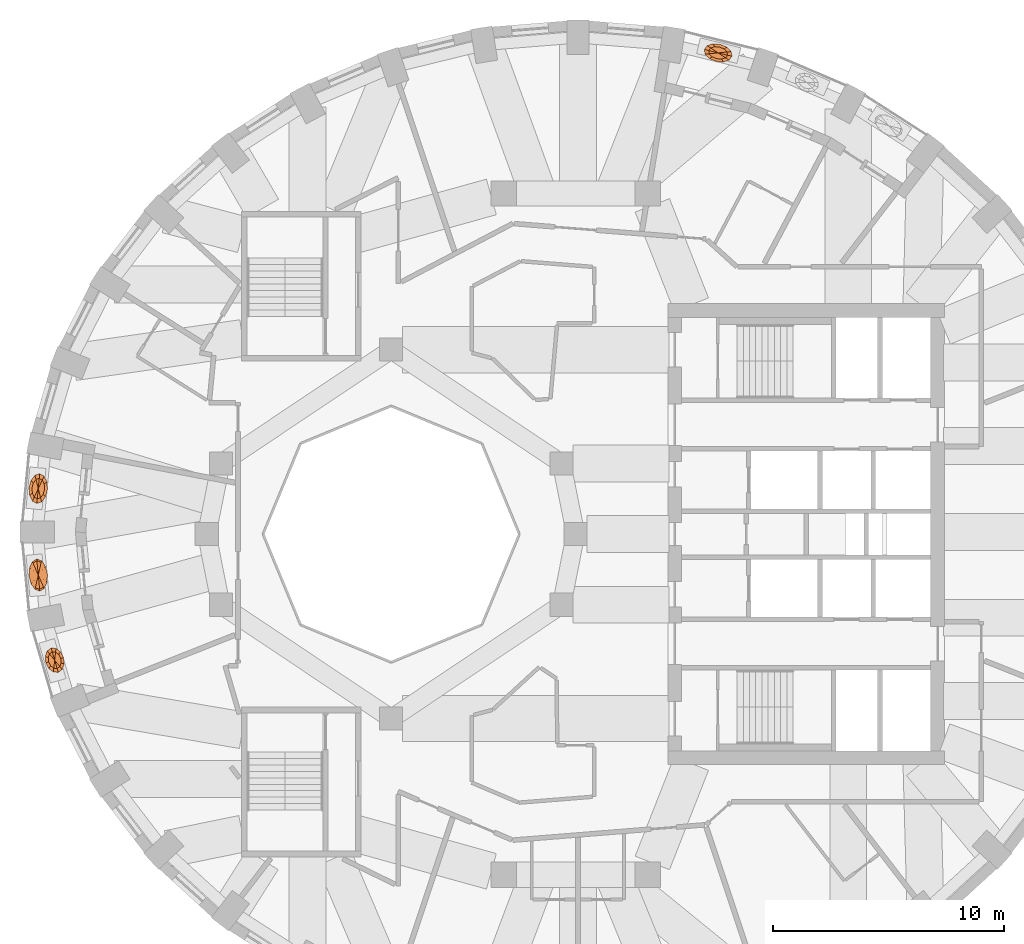
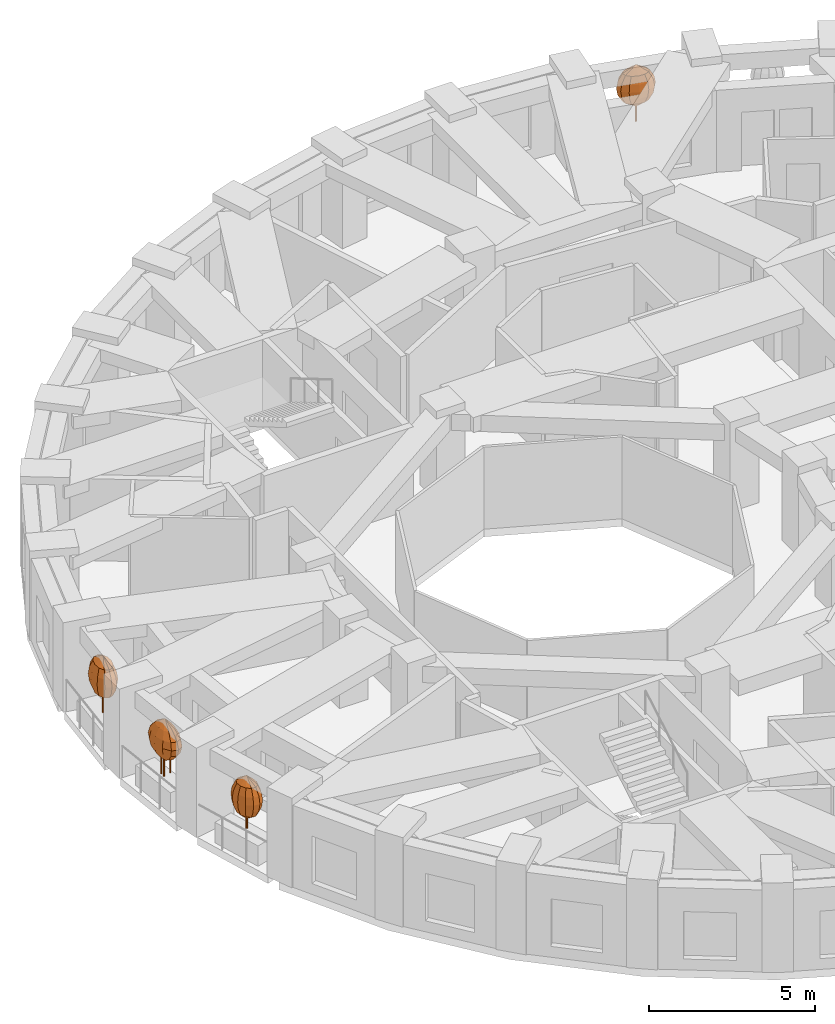
# One storey, part 11 of 12: 4 geographic elements.
"""IFC4 building model written with IfcOpenShell, lengths in metres."""

from ifc_helpers import new_model, si_unit, direction, frame, origin, place, context, subcontext, project, spatial, faceted_brep, material, constituent, constituent_set, type_object, element, save


model = new_model("IFC4")

# Units and contexts
model_context = context("Model", 3, precision=1e-05, world=origin(), true_north=direction((0.0, 1.0)))
body_context = subcontext(model_context, "Body", "Model", "MODEL_VIEW")
ifc_project = project(units=[si_unit("LENGTHUNIT", "METRE"), si_unit("AREAUNIT", "SQUARE_METRE"), si_unit("VOLUMEUNIT", "CUBIC_METRE"), si_unit("PLANEANGLEUNIT", "RADIAN"), si_unit("MASSUNIT", "GRAM", prefix="KILO")], contexts=[model_context])

# Site, building, storey
site_placement = place(None, origin())
site = spatial("IfcSite", under=ifc_project, at=site_placement, CompositionType="ELEMENT")
building_placement = place(site_placement, origin())
building = spatial("IfcBuilding", under=site, at=building_placement, Name="Taillehof Tower", CompositionType="ELEMENT")
storey_placement = place(building_placement, frame((0.0, 0.0, 151.699951171875)))
storey = spatial("IfcBuildingStorey", under=building, at=storey_placement, Name="L42", CompositionType="ELEMENT", Elevation=151.699951171875)

# Geographic elements
ifc_material_1 = material(Name="Tree bark", Category="timber")
ifc_constituent_1 = constituent(ifc_material_1, Name="Trunk", Category="timber")
ifc_material_2 = material(Name="Tree foliage")
ifc_constituent_2 = constituent(ifc_material_2, Name="Crown")
ifc_constituent_set_1 = constituent_set(constituents=[ifc_constituent_1, ifc_constituent_2], Name="Tree TR1 Columnar hornbeam")
geographic_element_type_1 = type_object("IfcGeographicElementType", Name="Tree TR1 Columnar hornbeam", PredefinedType="USERDEFINED", material=ifc_constituent_set_1)
geographic_element_1_placement = place(storey_placement, frame((-23.307861328125, 1.97509765625, 0.75)))
element("IfcGeographicElement", 1, at=geographic_element_1_placement, inside=storey, type_object=geographic_element_type_1, Name="Tree TR1 Columnar hornbeam", ObjectType="TREE", PredefinedType="USERDEFINED", context=body_context, shape_type="Brep", body=[
    faceted_brep([(0.030029296875, 0.0, 0.0), (0.021240234375, 0.021240234375, 0.0), (0.021240234375, 0.021240234375, 1.092529296875), (0.030029296875, 0.0, 1.092529296875), (0.0, 0.030029296875, 0.0), (0.0, 0.030029296875, 1.092529296875), (-0.021240234375, 0.021240234375, 0.0), (-0.021240234375, 0.021240234375, 1.092529296875), (-0.030029296875, 0.0, 0.0), (-0.030029296875, 0.0, 1.092529296875), (-0.021240234375, -0.021240234375, 0.0), (-0.021240234375, -0.021240234375, 1.092529296875), (0.0, -0.030029296875, 0.0), (0.0, -0.030029296875, 1.092529296875), (0.021240234375, -0.021240234375, 0.0), (0.021240234375, -0.021240234375, 1.092529296875)], [[[0, 1, 2, 3]], [[1, 4, 5, 2]], [[4, 6, 7, 5]], [[6, 8, 9, 7]], [[8, 10, 11, 9]], [[10, 12, 13, 11]], [[12, 14, 15, 13]], [[14, 0, 3, 15]], [[14, 12, 10, 8, 6, 4, 1, 0]], [[3, 2, 5, 7, 9, 11, 13, 15]]]),
    faceted_brep([(0.0, 0.0, 0.550048828125), (0.099365234375, -0.395751953125, 0.808349609375), (-0.042236328125, -0.44189453125, 0.808349609375), (0.21435546875, -0.243408203125, 0.808349609375), (0.27197265625, -0.026123046875, 0.808349609375), (0.256591796875, 0.198486328125, 0.808349609375), (0.172607421875, 0.36962890625, 0.808349609375), (0.042236328125, 0.44189453125, 0.808349609375), (-0.099365234375, 0.395751953125, 0.808349609375), (-0.21435546875, 0.243408203125, 0.808349609375), (-0.27197265625, 0.026123046875, 0.808349609375), (-0.256591796875, -0.198486328125, 0.808349609375), (-0.172607421875, -0.36962890625, 0.808349609375), (0.134521484375, -0.535400390625, 1.066650390625), (-0.05712890625, -0.597900390625, 1.066650390625), (0.2900390625, -0.329345703125, 1.066650390625), (0.367919921875, -0.03515625, 1.066650390625), (0.34716796875, 0.2685546875, 1.066650390625), (0.2333984375, 0.500244140625, 1.066650390625), (0.05712890625, 0.597900390625, 1.066650390625), (-0.134521484375, 0.535400390625, 1.066650390625), (-0.2900390625, 0.329345703125, 1.066650390625), (-0.367919921875, 0.03515625, 1.066650390625), (-0.34716796875, -0.2685546875, 1.066650390625), (-0.2333984375, -0.500244140625, 1.066650390625), (0.1455078125, -0.579345703125, 1.324951171875), (-0.061767578125, -0.64697265625, 1.324951171875), (0.31396484375, -0.3564453125, 1.324951171875), (0.398193359375, -0.0380859375, 1.324951171875), (0.375732421875, 0.29052734375, 1.324951171875), (0.252685546875, 0.541259765625, 1.324951171875), (0.061767578125, 0.64697265625, 1.324951171875), (-0.1455078125, 0.579345703125, 1.324951171875), (-0.31396484375, 0.3564453125, 1.324951171875), (-0.398193359375, 0.0380859375, 1.324951171875), (-0.375732421875, -0.29052734375, 1.324951171875), (-0.252685546875, -0.541259765625, 1.324951171875), (0.134521484375, -0.535400390625, 1.583251953125), (-0.05712890625, -0.597900390625, 1.583251953125), (0.2900390625, -0.329345703125, 1.583251953125), (0.367919921875, -0.03515625, 1.583251953125), (0.34716796875, 0.2685546875, 1.583251953125), (0.2333984375, 0.500244140625, 1.583251953125), (0.05712890625, 0.597900390625, 1.583251953125), (-0.134521484375, 0.535400390625, 1.583251953125), (-0.2900390625, 0.329345703125, 1.583251953125), (-0.367919921875, 0.03515625, 1.583251953125), (-0.34716796875, -0.2685546875, 1.583251953125), (-0.2333984375, -0.500244140625, 1.583251953125), (0.099365234375, -0.395751953125, 1.841552734375), (-0.042236328125, -0.44189453125, 1.841552734375), (0.21435546875, -0.243408203125, 1.841552734375), (0.27197265625, -0.026123046875, 1.841552734375), (0.256591796875, 0.198486328125, 1.841552734375), (0.172607421875, 0.36962890625, 1.841552734375), (0.042236328125, 0.44189453125, 1.841552734375), (-0.099365234375, 0.395751953125, 1.841552734375), (-0.21435546875, 0.243408203125, 1.841552734375), (-0.27197265625, 0.026123046875, 1.841552734375), (-0.256591796875, -0.198486328125, 1.841552734375), (-0.172607421875, -0.36962890625, 1.841552734375), (0.0, 0.0, 2.10009765625)], [[[0, 1, 2]], [[0, 3, 1]], [[0, 4, 3]], [[0, 5, 4]], [[0, 6, 5]], [[0, 7, 6]], [[0, 8, 7]], [[0, 9, 8]], [[0, 10, 9]], [[0, 11, 10]], [[0, 12, 11]], [[0, 2, 12]], [[2, 1, 13, 14]], [[1, 3, 15, 13]], [[3, 4, 16, 15]], [[4, 5, 17, 16]], [[5, 6, 18, 17]], [[6, 7, 19, 18]], [[7, 8, 20, 19]], [[8, 9, 21, 20]], [[9, 10, 22, 21]], [[10, 11, 23, 22]], [[11, 12, 24, 23]], [[12, 2, 14, 24]], [[14, 13, 25, 26]], [[13, 15, 27, 25]], [[15, 16, 28, 27]], [[16, 17, 29, 28]], [[17, 18, 30, 29]], [[18, 19, 31, 30]], [[19, 20, 32, 31]], [[20, 21, 33, 32]], [[21, 22, 34, 33]], [[22, 23, 35, 34]], [[23, 24, 36, 35]], [[24, 14, 26, 36]], [[26, 25, 37, 38]], [[25, 27, 39, 37]], [[27, 28, 40, 39]], [[28, 29, 41, 40]], [[29, 30, 42, 41]], [[30, 31, 43, 42]], [[31, 32, 44, 43]], [[32, 33, 45, 44]], [[33, 34, 46, 45]], [[34, 35, 47, 46]], [[35, 36, 48, 47]], [[36, 26, 38, 48]], [[38, 37, 49, 50]], [[37, 39, 51, 49]], [[39, 40, 52, 51]], [[40, 41, 53, 52]], [[41, 42, 54, 53]], [[42, 43, 55, 54]], [[43, 44, 56, 55]], [[44, 45, 57, 56]], [[45, 46, 58, 57]], [[46, 47, 59, 58]], [[47, 48, 60, 59]], [[48, 38, 50, 60]], [[50, 49, 61]], [[49, 51, 61]], [[51, 52, 61]], [[52, 53, 61]], [[53, 54, 61]], [[54, 55, 61]], [[55, 56, 61]], [[56, 57, 61]], [[57, 58, 61]], [[58, 59, 61]], [[59, 60, 61]], [[60, 50, 61]]]),
])
geographic_element_2_placement = place(storey_placement, frame((6.179443359375, 20.873779296875, 0.75)))
element("IfcGeographicElement", 2, at=geographic_element_2_placement, inside=storey, type_object=geographic_element_type_1, Name="Tree TR1 Columnar hornbeam", ObjectType="TREE", PredefinedType="USERDEFINED", context=body_context, shape_type="Brep", body=[
    faceted_brep([(0.030029296875, 0.0, 0.0), (0.021240234375, 0.021240234375, 0.0), (0.021240234375, 0.021240234375, 1.092529296875), (0.030029296875, 0.0, 1.092529296875), (0.0, 0.030029296875, 0.0), (0.0, 0.030029296875, 1.092529296875), (-0.021240234375, 0.021240234375, 0.0), (-0.021240234375, 0.021240234375, 1.092529296875), (-0.030029296875, 0.0, 0.0), (-0.030029296875, 0.0, 1.092529296875), (-0.021240234375, -0.021240234375, 0.0), (-0.021240234375, -0.021240234375, 1.092529296875), (0.0, -0.030029296875, 0.0), (0.0, -0.030029296875, 1.092529296875), (0.021240234375, -0.021240234375, 0.0), (0.021240234375, -0.021240234375, 1.092529296875)], [[[0, 1, 2, 3]], [[1, 4, 5, 2]], [[4, 6, 7, 5]], [[6, 8, 9, 7]], [[8, 10, 11, 9]], [[10, 12, 13, 11]], [[12, 14, 15, 13]], [[14, 0, 3, 15]], [[14, 12, 10, 8, 6, 4, 1, 0]], [[3, 2, 5, 7, 9, 11, 13, 15]]]),
    faceted_brep([(0.0, 0.0, 0.550048828125), (-0.3857421875, -0.0390625, 0.808349609375), (-0.40966796875, 0.100341796875, 0.808349609375), (-0.25830078125, -0.168212890625, 0.808349609375), (-0.061767578125, -0.252197265625, 0.808349609375), (0.1513671875, -0.2685546875, 0.808349609375), (0.323974609375, -0.212890625, 0.808349609375), (0.40966796875, -0.100341796875, 0.808349609375), (0.3857421875, 0.0390625, 0.808349609375), (0.25830078125, 0.168212890625, 0.808349609375), (0.061767578125, 0.252197265625, 0.808349609375), (-0.1513671875, 0.2685546875, 0.808349609375), (-0.323974609375, 0.212890625, 0.808349609375), (-0.521728515625, -0.052978515625, 1.066650390625), (-0.55419921875, 0.1357421875, 1.066650390625), (-0.349365234375, -0.227294921875, 1.066650390625), (-0.08349609375, -0.341064453125, 1.066650390625), (0.20458984375, -0.36328125, 1.066650390625), (0.43798828125, -0.2880859375, 1.066650390625), (0.55419921875, -0.1357421875, 1.066650390625), (0.521728515625, 0.052978515625, 1.066650390625), (0.349365234375, 0.227294921875, 1.066650390625), (0.08349609375, 0.341064453125, 1.066650390625), (-0.20458984375, 0.36328125, 1.066650390625), (-0.43798828125, 0.2880859375, 1.066650390625), (-0.564697265625, -0.05712890625, 1.324951171875), (-0.599853515625, 0.14697265625, 1.324951171875), (-0.378173828125, -0.24609375, 1.324951171875), (-0.090576171875, -0.369140625, 1.324951171875), (0.221435546875, -0.39306640625, 1.324951171875), (0.47412109375, -0.311767578125, 1.324951171875), (0.599853515625, -0.14697265625, 1.324951171875), (0.564697265625, 0.05712890625, 1.324951171875), (0.378173828125, 0.24609375, 1.324951171875), (0.090576171875, 0.369140625, 1.324951171875), (-0.221435546875, 0.39306640625, 1.324951171875), (-0.47412109375, 0.311767578125, 1.324951171875), (-0.521728515625, -0.052978515625, 1.583251953125), (-0.55419921875, 0.1357421875, 1.583251953125), (-0.349365234375, -0.227294921875, 1.583251953125), (-0.08349609375, -0.341064453125, 1.583251953125), (0.20458984375, -0.36328125, 1.583251953125), (0.43798828125, -0.2880859375, 1.583251953125), (0.55419921875, -0.1357421875, 1.583251953125), (0.521728515625, 0.052978515625, 1.583251953125), (0.349365234375, 0.227294921875, 1.583251953125), (0.08349609375, 0.341064453125, 1.583251953125), (-0.20458984375, 0.36328125, 1.583251953125), (-0.43798828125, 0.2880859375, 1.583251953125), (-0.3857421875, -0.0390625, 1.841552734375), (-0.40966796875, 0.100341796875, 1.841552734375), (-0.25830078125, -0.168212890625, 1.841552734375), (-0.061767578125, -0.252197265625, 1.841552734375), (0.1513671875, -0.2685546875, 1.841552734375), (0.323974609375, -0.212890625, 1.841552734375), (0.40966796875, -0.100341796875, 1.841552734375), (0.3857421875, 0.0390625, 1.841552734375), (0.25830078125, 0.168212890625, 1.841552734375), (0.061767578125, 0.252197265625, 1.841552734375), (-0.1513671875, 0.2685546875, 1.841552734375), (-0.323974609375, 0.212890625, 1.841552734375), (0.0, 0.0, 2.10009765625)], [[[0, 1, 2]], [[0, 3, 1]], [[0, 4, 3]], [[0, 5, 4]], [[0, 6, 5]], [[0, 7, 6]], [[0, 8, 7]], [[0, 9, 8]], [[0, 10, 9]], [[0, 11, 10]], [[0, 12, 11]], [[0, 2, 12]], [[2, 1, 13, 14]], [[1, 3, 15, 13]], [[3, 4, 16, 15]], [[4, 5, 17, 16]], [[5, 6, 18, 17]], [[6, 7, 19, 18]], [[7, 8, 20, 19]], [[8, 9, 21, 20]], [[9, 10, 22, 21]], [[10, 11, 23, 22]], [[11, 12, 24, 23]], [[12, 2, 14, 24]], [[14, 13, 25, 26]], [[13, 15, 27, 25]], [[15, 16, 28, 27]], [[16, 17, 29, 28]], [[17, 18, 30, 29]], [[18, 19, 31, 30]], [[19, 20, 32, 31]], [[20, 21, 33, 32]], [[21, 22, 34, 33]], [[22, 23, 35, 34]], [[23, 24, 36, 35]], [[24, 14, 26, 36]], [[26, 25, 37, 38]], [[25, 27, 39, 37]], [[27, 28, 40, 39]], [[28, 29, 41, 40]], [[29, 30, 42, 41]], [[30, 31, 43, 42]], [[31, 32, 44, 43]], [[32, 33, 45, 44]], [[33, 34, 46, 45]], [[34, 35, 47, 46]], [[35, 36, 48, 47]], [[36, 26, 38, 48]], [[38, 37, 49, 50]], [[37, 39, 51, 49]], [[39, 40, 52, 51]], [[40, 41, 53, 52]], [[41, 42, 54, 53]], [[42, 43, 55, 54]], [[43, 44, 56, 55]], [[44, 45, 57, 56]], [[45, 46, 58, 57]], [[46, 47, 59, 58]], [[47, 48, 60, 59]], [[48, 38, 50, 60]], [[50, 49, 61]], [[49, 51, 61]], [[51, 52, 61]], [[52, 53, 61]], [[53, 54, 61]], [[54, 55, 61]], [[55, 56, 61]], [[56, 57, 61]], [[57, 58, 61]], [[58, 59, 61]], [[59, 60, 61]], [[60, 50, 61]]]),
])
ifc_material_3 = material(Name="Tree bark", Category="timber")
ifc_constituent_3 = constituent(ifc_material_3, Name="Trunk", Category="timber")
ifc_material_4 = material(Name="Tree foliage")
ifc_constituent_4 = constituent(ifc_material_4, Name="Crown")
ifc_constituent_set_2 = constituent_set(constituents=[ifc_constituent_3, ifc_constituent_4], Name="Tree TR2 Fastigiate yew")
geographic_element_type_2 = type_object("IfcGeographicElementType", Name="Tree TR2 Fastigiate yew", PredefinedType="USERDEFINED", material=ifc_constituent_set_2)
geographic_element_3_placement = place(storey_placement, frame((-22.59619140625, -5.46826171875, 0.75)))
element("IfcGeographicElement", 3, at=geographic_element_3_placement, inside=storey, type_object=geographic_element_type_2, Name="Tree TR2 Fastigiate yew", ObjectType="TREE", PredefinedType="USERDEFINED", context=body_context, shape_type="Brep", body=[
    faceted_brep([(0.034912109375, 0.0, 0.0), (0.024658203125, 0.024658203125, 0.0), (0.024658203125, 0.024658203125, 0.909912109375), (0.034912109375, 0.0, 0.909912109375), (0.0, 0.034912109375, 0.0), (0.0, 0.034912109375, 0.909912109375), (-0.024658203125, 0.024658203125, 0.0), (-0.024658203125, 0.024658203125, 0.909912109375), (-0.034912109375, 0.0, 0.0), (-0.034912109375, 0.0, 0.909912109375), (-0.024658203125, -0.024658203125, 0.0), (-0.024658203125, -0.024658203125, 0.909912109375), (0.0, -0.034912109375, 0.0), (0.0, -0.034912109375, 0.909912109375), (0.024658203125, -0.024658203125, 0.0), (0.024658203125, -0.024658203125, 0.909912109375)], [[[0, 1, 2, 3]], [[1, 4, 5, 2]], [[4, 6, 7, 5]], [[6, 8, 9, 7]], [[8, 10, 11, 9]], [[10, 12, 13, 11]], [[12, 14, 15, 13]], [[14, 0, 3, 15]], [[14, 12, 10, 8, 6, 4, 1, 0]], [[3, 2, 5, 7, 9, 11, 13, 15]]]),
    faceted_brep([(0.0, 0.0, 0.35009765625), (0.22265625, -0.27392578125, 0.61669921875), (0.105712890625, -0.360595703125, 0.61669921875), (0.27978515625, -0.11376953125, 0.61669921875), (0.26220703125, 0.076904296875, 0.61669921875), (0.17431640625, 0.246826171875, 0.61669921875), (0.03955078125, 0.3505859375, 0.61669921875), (-0.105712890625, 0.360595703125, 0.61669921875), (-0.22265625, 0.27392578125, 0.61669921875), (-0.27978515625, 0.11376953125, 0.61669921875), (-0.26220703125, -0.076904296875, 0.61669921875), (-0.17431640625, -0.246826171875, 0.61669921875), (-0.03955078125, -0.3505859375, 0.61669921875), (0.301025390625, -0.370361328125, 0.88330078125), (0.142822265625, -0.48779296875, 0.88330078125), (0.378662109375, -0.15380859375, 0.88330078125), (0.354736328125, 0.10400390625, 0.88330078125), (0.23583984375, 0.333740234375, 0.88330078125), (0.0537109375, 0.474365234375, 0.88330078125), (-0.142822265625, 0.48779296875, 0.88330078125), (-0.301025390625, 0.370361328125, 0.88330078125), (-0.378662109375, 0.15380859375, 0.88330078125), (-0.354736328125, -0.10400390625, 0.88330078125), (-0.23583984375, -0.333740234375, 0.88330078125), (-0.0537109375, -0.474365234375, 0.88330078125), (0.325927734375, -0.40087890625, 1.14990234375), (0.154541015625, -0.52783203125, 1.14990234375), (0.40966796875, -0.16650390625, 1.14990234375), (0.3837890625, 0.112548828125, 1.14990234375), (0.255126953125, 0.361328125, 1.14990234375), (0.05810546875, 0.513427734375, 1.14990234375), (-0.154541015625, 0.52783203125, 1.14990234375), (-0.325927734375, 0.40087890625, 1.14990234375), (-0.40966796875, 0.16650390625, 1.14990234375), (-0.3837890625, -0.112548828125, 1.14990234375), (-0.255126953125, -0.361328125, 1.14990234375), (-0.05810546875, -0.513427734375, 1.14990234375), (0.301025390625, -0.370361328125, 1.416748046875), (0.142822265625, -0.48779296875, 1.416748046875), (0.378662109375, -0.15380859375, 1.416748046875), (0.354736328125, 0.10400390625, 1.416748046875), (0.23583984375, 0.333740234375, 1.416748046875), (0.0537109375, 0.474365234375, 1.416748046875), (-0.142822265625, 0.48779296875, 1.416748046875), (-0.301025390625, 0.370361328125, 1.416748046875), (-0.378662109375, 0.15380859375, 1.416748046875), (-0.354736328125, -0.10400390625, 1.416748046875), (-0.23583984375, -0.333740234375, 1.416748046875), (-0.0537109375, -0.474365234375, 1.416748046875), (0.22265625, -0.27392578125, 1.683349609375), (0.105712890625, -0.360595703125, 1.683349609375), (0.27978515625, -0.11376953125, 1.683349609375), (0.26220703125, 0.076904296875, 1.683349609375), (0.17431640625, 0.246826171875, 1.683349609375), (0.03955078125, 0.3505859375, 1.683349609375), (-0.105712890625, 0.360595703125, 1.683349609375), (-0.22265625, 0.27392578125, 1.683349609375), (-0.27978515625, 0.11376953125, 1.683349609375), (-0.26220703125, -0.076904296875, 1.683349609375), (-0.17431640625, -0.246826171875, 1.683349609375), (-0.03955078125, -0.3505859375, 1.683349609375), (0.0, 0.0, 1.949951171875)], [[[0, 1, 2]], [[0, 3, 1]], [[0, 4, 3]], [[0, 5, 4]], [[0, 6, 5]], [[0, 7, 6]], [[0, 8, 7]], [[0, 9, 8]], [[0, 10, 9]], [[0, 11, 10]], [[0, 12, 11]], [[0, 2, 12]], [[2, 1, 13, 14]], [[1, 3, 15, 13]], [[3, 4, 16, 15]], [[4, 5, 17, 16]], [[5, 6, 18, 17]], [[6, 7, 19, 18]], [[7, 8, 20, 19]], [[8, 9, 21, 20]], [[9, 10, 22, 21]], [[10, 11, 23, 22]], [[11, 12, 24, 23]], [[12, 2, 14, 24]], [[14, 13, 25, 26]], [[13, 15, 27, 25]], [[15, 16, 28, 27]], [[16, 17, 29, 28]], [[17, 18, 30, 29]], [[18, 19, 31, 30]], [[19, 20, 32, 31]], [[20, 21, 33, 32]], [[21, 22, 34, 33]], [[22, 23, 35, 34]], [[23, 24, 36, 35]], [[24, 14, 26, 36]], [[26, 25, 37, 38]], [[25, 27, 39, 37]], [[27, 28, 40, 39]], [[28, 29, 41, 40]], [[29, 30, 42, 41]], [[30, 31, 43, 42]], [[31, 32, 44, 43]], [[32, 33, 45, 44]], [[33, 34, 46, 45]], [[34, 35, 47, 46]], [[35, 36, 48, 47]], [[36, 26, 38, 48]], [[38, 37, 49, 50]], [[37, 39, 51, 49]], [[39, 40, 52, 51]], [[40, 41, 53, 52]], [[41, 42, 54, 53]], [[42, 43, 55, 54]], [[43, 44, 56, 55]], [[44, 45, 57, 56]], [[45, 46, 58, 57]], [[46, 47, 59, 58]], [[47, 48, 60, 59]], [[48, 38, 50, 60]], [[50, 49, 61]], [[49, 51, 61]], [[51, 52, 61]], [[52, 53, 61]], [[53, 54, 61]], [[54, 55, 61]], [[55, 56, 61]], [[56, 57, 61]], [[57, 58, 61]], [[58, 59, 61]], [[59, 60, 61]], [[60, 50, 61]]]),
])
ifc_material_5 = material(Name="Tree bark", Category="timber")
ifc_constituent_5 = constituent(ifc_material_5, Name="Trunk", Category="timber")
ifc_material_6 = material(Name="Tree foliage")
ifc_constituent_6 = constituent(ifc_material_6, Name="Crown")
ifc_constituent_set_3 = constituent_set(constituents=[ifc_constituent_5, ifc_constituent_6], Name="Tree TR3 Multi-stem serviceberry")
geographic_element_type_3 = type_object("IfcGeographicElementType", Name="Tree TR3 Multi-stem serviceberry", PredefinedType="USERDEFINED", material=ifc_constituent_set_3)
geographic_element_4_placement = place(storey_placement, frame((-23.307861328125, -1.775146484375, 0.75)))
element("IfcGeographicElement", 4, at=geographic_element_4_placement, inside=storey, type_object=geographic_element_type_3, Name="Tree TR3 Multi-stem serviceberry", ObjectType="TREE", PredefinedType="USERDEFINED", context=body_context, shape_type="Brep", body=[
    faceted_brep([(0.203857421875, 0.0, 0.0), (0.1953125, 0.0205078125, 0.0), (0.1953125, 0.0205078125, 1.04248046875), (0.203857421875, 0.0, 1.04248046875), (0.175048828125, 0.02880859375, 0.0), (0.175048828125, 0.02880859375, 1.04248046875), (0.154541015625, 0.0205078125, 0.0), (0.154541015625, 0.0205078125, 1.04248046875), (0.146240234375, 0.0, 0.0), (0.146240234375, 0.0, 1.04248046875), (0.154541015625, -0.0205078125, 0.0), (0.154541015625, -0.0205078125, 1.04248046875), (0.175048828125, -0.02880859375, 0.0), (0.175048828125, -0.02880859375, 1.04248046875), (0.1953125, -0.0205078125, 0.0), (0.1953125, -0.0205078125, 1.04248046875)], [[[0, 1, 2, 3]], [[1, 4, 5, 2]], [[4, 6, 7, 5]], [[6, 8, 9, 7]], [[8, 10, 11, 9]], [[10, 12, 13, 11]], [[12, 14, 15, 13]], [[14, 0, 3, 15]], [[14, 12, 10, 8, 6, 4, 1, 0]], [[3, 2, 5, 7, 9, 11, 13, 15]]]),
    faceted_brep([(-0.05859375, 0.086669921875, 0.0), (-0.067138671875, 0.10693359375, 0.0), (-0.067138671875, 0.10693359375, 1.04248046875), (-0.05859375, 0.086669921875, 1.04248046875), (-0.08740234375, 0.115478515625, 0.0), (-0.08740234375, 0.115478515625, 1.04248046875), (-0.10791015625, 0.10693359375, 0.0), (-0.10791015625, 0.10693359375, 1.04248046875), (-0.116455078125, 0.086669921875, 0.0), (-0.116455078125, 0.086669921875, 1.04248046875), (-0.10791015625, 0.066162109375, 0.0), (-0.10791015625, 0.066162109375, 1.04248046875), (-0.08740234375, 0.0576171875, 0.0), (-0.08740234375, 0.0576171875, 1.04248046875), (-0.067138671875, 0.066162109375, 0.0), (-0.067138671875, 0.066162109375, 1.04248046875)], [[[0, 1, 2, 3]], [[1, 4, 5, 2]], [[4, 6, 7, 5]], [[6, 8, 9, 7]], [[8, 10, 11, 9]], [[10, 12, 13, 11]], [[12, 14, 15, 13]], [[14, 0, 3, 15]], [[14, 12, 10, 8, 6, 4, 1, 0]], [[3, 2, 5, 7, 9, 11, 13, 15]]]),
    faceted_brep([(-0.05859375, -0.086669921875, 0.0), (-0.067138671875, -0.066162109375, 0.0), (-0.067138671875, -0.066162109375, 1.04248046875), (-0.05859375, -0.086669921875, 1.04248046875), (-0.08740234375, -0.0576171875, 0.0), (-0.08740234375, -0.0576171875, 1.04248046875), (-0.10791015625, -0.066162109375, 0.0), (-0.10791015625, -0.066162109375, 1.04248046875), (-0.116455078125, -0.086669921875, 0.0), (-0.116455078125, -0.086669921875, 1.04248046875), (-0.10791015625, -0.10693359375, 0.0), (-0.10791015625, -0.10693359375, 1.04248046875), (-0.08740234375, -0.115478515625, 0.0), (-0.08740234375, -0.115478515625, 1.04248046875), (-0.067138671875, -0.10693359375, 0.0), (-0.067138671875, -0.10693359375, 1.04248046875)], [[[0, 1, 2, 3]], [[1, 4, 5, 2]], [[4, 6, 7, 5]], [[6, 8, 9, 7]], [[8, 10, 11, 9]], [[10, 12, 13, 11]], [[12, 14, 15, 13]], [[14, 0, 3, 15]], [[14, 12, 10, 8, 6, 4, 1, 0]], [[3, 2, 5, 7, 9, 11, 13, 15]]]),
    faceted_brep([(0.0, 0.0, 0.5), (0.1474609375, -0.335693359375, 0.75830078125), (0.038330078125, -0.400146484375, 0.75830078125), (0.21728515625, -0.18115234375, 0.75830078125), (0.228759765625, 0.02197265625, 0.75830078125), (0.178955078125, 0.218994140625, 0.75830078125), (0.081298828125, 0.357421875, 0.75830078125), (-0.038330078125, 0.400146484375, 0.75830078125), (-0.1474609375, 0.335693359375, 0.75830078125), (-0.21728515625, 0.18115234375, 0.75830078125), (-0.228759765625, -0.02197265625, 0.75830078125), (-0.178955078125, -0.218994140625, 0.75830078125), (-0.081298828125, -0.357421875, 0.75830078125), (0.22900390625, -0.52099609375, 1.0166015625), (0.059326171875, -0.62109375, 1.0166015625), (0.337158203125, -0.28125, 1.0166015625), (0.35498046875, 0.033935546875, 1.0166015625), (0.277587890625, 0.33984375, 1.0166015625), (0.1259765625, 0.554931640625, 1.0166015625), (-0.059326171875, 0.62109375, 1.0166015625), (-0.22900390625, 0.52099609375, 1.0166015625), (-0.337158203125, 0.28125, 1.0166015625), (-0.35498046875, -0.033935546875, 1.0166015625), (-0.277587890625, -0.33984375, 1.0166015625), (-0.1259765625, -0.554931640625, 1.0166015625), (0.2568359375, -0.58447265625, 1.27490234375), (0.066650390625, -0.69677734375, 1.27490234375), (0.378173828125, -0.3154296875, 1.27490234375), (0.398193359375, 0.0380859375, 1.27490234375), (0.3115234375, 0.38134765625, 1.27490234375), (0.141357421875, 0.62255859375, 1.27490234375), (-0.066650390625, 0.69677734375, 1.27490234375), (-0.2568359375, 0.58447265625, 1.27490234375), (-0.378173828125, 0.3154296875, 1.27490234375), (-0.398193359375, -0.0380859375, 1.27490234375), (-0.3115234375, -0.38134765625, 1.27490234375), (-0.141357421875, -0.62255859375, 1.27490234375), (0.22900390625, -0.52099609375, 1.533447265625), (0.059326171875, -0.62109375, 1.533447265625), (0.337158203125, -0.28125, 1.533447265625), (0.35498046875, 0.033935546875, 1.533447265625), (0.277587890625, 0.33984375, 1.533447265625), (0.1259765625, 0.554931640625, 1.533447265625), (-0.059326171875, 0.62109375, 1.533447265625), (-0.22900390625, 0.52099609375, 1.533447265625), (-0.337158203125, 0.28125, 1.533447265625), (-0.35498046875, -0.033935546875, 1.533447265625), (-0.277587890625, -0.33984375, 1.533447265625), (-0.1259765625, -0.554931640625, 1.533447265625), (0.1474609375, -0.335693359375, 1.791748046875), (0.038330078125, -0.400146484375, 1.791748046875), (0.21728515625, -0.18115234375, 1.791748046875), (0.228759765625, 0.02197265625, 1.791748046875), (0.178955078125, 0.218994140625, 1.791748046875), (0.081298828125, 0.357421875, 1.791748046875), (-0.038330078125, 0.400146484375, 1.791748046875), (-0.1474609375, 0.335693359375, 1.791748046875), (-0.21728515625, 0.18115234375, 1.791748046875), (-0.228759765625, -0.02197265625, 1.791748046875), (-0.178955078125, -0.218994140625, 1.791748046875), (-0.081298828125, -0.357421875, 1.791748046875), (0.0, 0.0, 2.050048828125)], [[[0, 1, 2]], [[0, 3, 1]], [[0, 4, 3]], [[0, 5, 4]], [[0, 6, 5]], [[0, 7, 6]], [[0, 8, 7]], [[0, 9, 8]], [[0, 10, 9]], [[0, 11, 10]], [[0, 12, 11]], [[0, 2, 12]], [[2, 1, 13, 14]], [[1, 3, 15, 13]], [[3, 4, 16, 15]], [[4, 5, 17, 16]], [[5, 6, 18, 17]], [[6, 7, 19, 18]], [[7, 8, 20, 19]], [[8, 9, 21, 20]], [[9, 10, 22, 21]], [[10, 11, 23, 22]], [[11, 12, 24, 23]], [[12, 2, 14, 24]], [[14, 13, 25, 26]], [[13, 15, 27, 25]], [[15, 16, 28, 27]], [[16, 17, 29, 28]], [[17, 18, 30, 29]], [[18, 19, 31, 30]], [[19, 20, 32, 31]], [[20, 21, 33, 32]], [[21, 22, 34, 33]], [[22, 23, 35, 34]], [[23, 24, 36, 35]], [[24, 14, 26, 36]], [[26, 25, 37, 38]], [[25, 27, 39, 37]], [[27, 28, 40, 39]], [[28, 29, 41, 40]], [[29, 30, 42, 41]], [[30, 31, 43, 42]], [[31, 32, 44, 43]], [[32, 33, 45, 44]], [[33, 34, 46, 45]], [[34, 35, 47, 46]], [[35, 36, 48, 47]], [[36, 26, 38, 48]], [[38, 37, 49, 50]], [[37, 39, 51, 49]], [[39, 40, 52, 51]], [[40, 41, 53, 52]], [[41, 42, 54, 53]], [[42, 43, 55, 54]], [[43, 44, 56, 55]], [[44, 45, 57, 56]], [[45, 46, 58, 57]], [[46, 47, 59, 58]], [[47, 48, 60, 59]], [[48, 38, 50, 60]], [[50, 49, 61]], [[49, 51, 61]], [[51, 52, 61]], [[52, 53, 61]], [[53, 54, 61]], [[54, 55, 61]], [[55, 56, 61]], [[56, 57, 61]], [[57, 58, 61]], [[58, 59, 61]], [[59, 60, 61]], [[60, 50, 61]]]),
])

save(model, "model.ifc")
